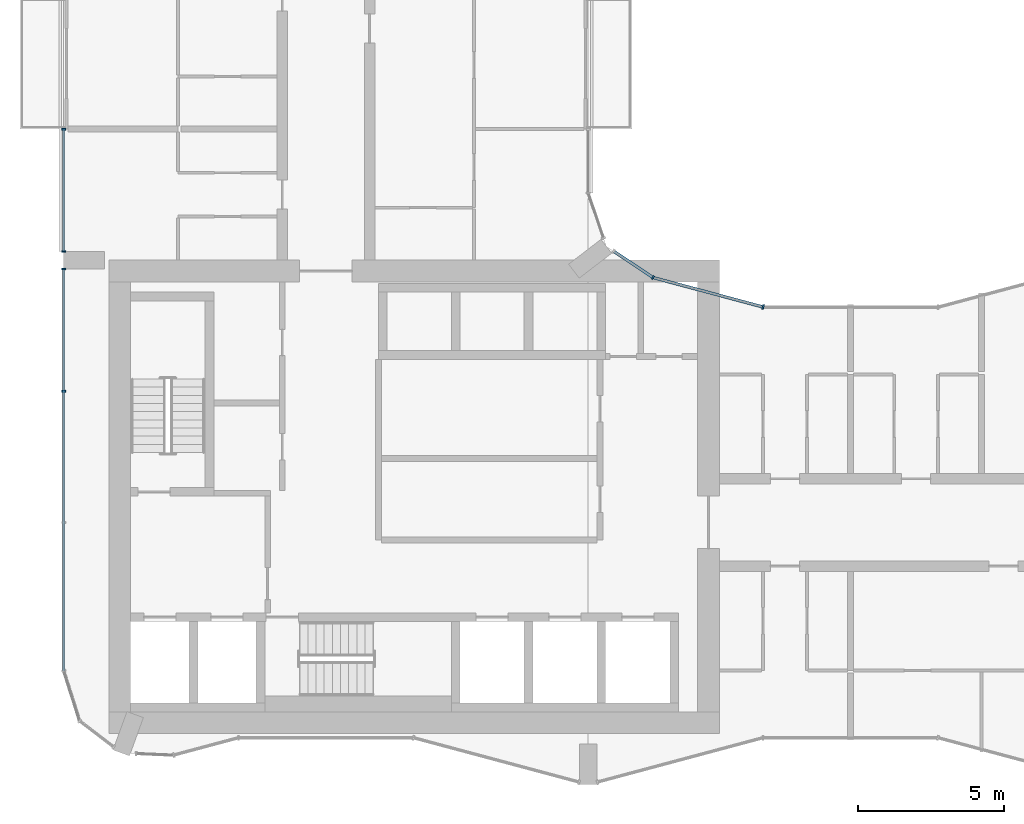
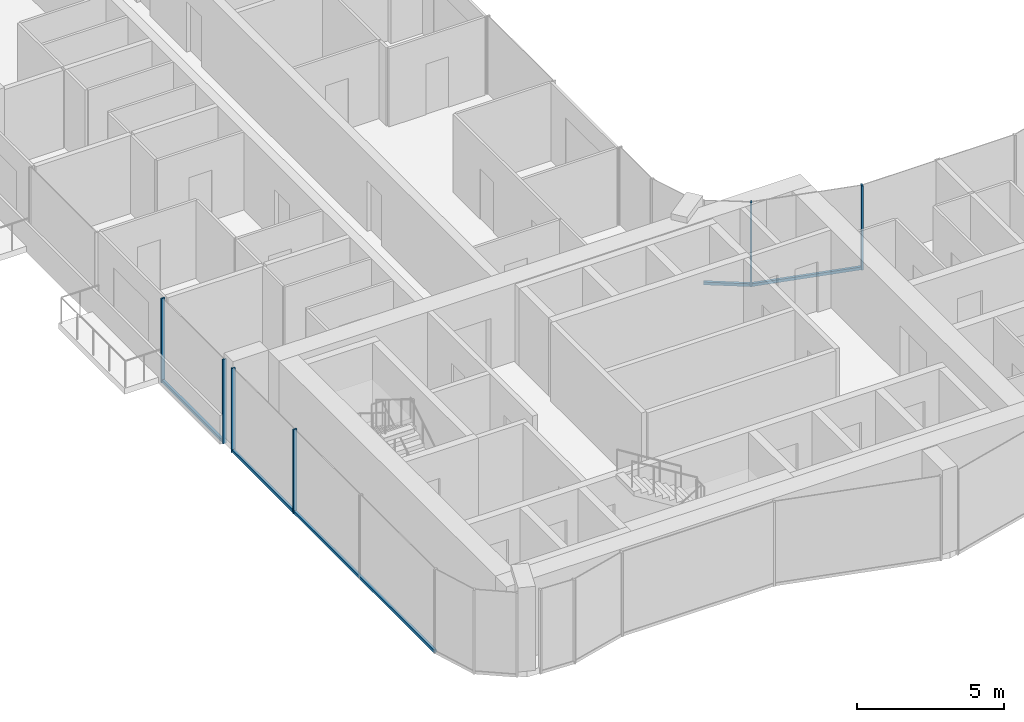
# One storey, part 3 of 23: 10 members, 4 elements without a shape of their own.
"""IFC4 building model written with IfcOpenShell, lengths in metres."""

from ifc_helpers import new_model, si_unit, direction, frame, origin, origin_2d, place, context, subcontext, project, spatial, rectangle, extrude, material, layer, layer_set, material_profile, profile_set, type_object, element, aggregate, save


model = new_model("IFC4")

# Units and contexts
model_context = context("Model", 3, precision=1e-05, world=origin(), true_north=direction((0.0, 1.0)))
body_context = subcontext(model_context, "Body", "Model", "MODEL_VIEW")
ifc_project = project(units=[si_unit("LENGTHUNIT", "METRE"), si_unit("AREAUNIT", "SQUARE_METRE"), si_unit("VOLUMEUNIT", "CUBIC_METRE"), si_unit("PLANEANGLEUNIT", "RADIAN"), si_unit("MASSUNIT", "GRAM", prefix="KILO")], contexts=[model_context])

# Site, building, storey
site_placement = place(None, origin())
site = spatial("IfcSite", under=ifc_project, at=site_placement, CompositionType="ELEMENT")
building_placement = place(site_placement, origin())
building = spatial("IfcBuilding", under=site, at=building_placement, Name="Plateau Cross Towers", CompositionType="ELEMENT")
storey_placement = place(building_placement, frame((0.0, 0.0, 33.800048828125)))
storey = spatial("IfcBuildingStorey", under=building, at=storey_placement, Name="L07", CompositionType="ELEMENT", Elevation=33.800048828125)

# Curtain wall, member
ifc_material_1 = material(Name="Dark low-iron glass", Category="glass")
ifc_layer_1 = layer(ifc_material_1, 0.239990234375)
ifc_layer_set_1 = layer_set([ifc_layer_1], Name="Dark low-iron glass")
curtain_wall_type_1 = type_object("IfcCurtainWallType", Name="Curtain wall flush unitised CW-B", PredefinedType="NOTDEFINED", material=ifc_layer_set_1)
curtain_wall_1_placement = place(storey_placement, origin())
curtain_wall_1 = element("IfcCurtainWall", 1, at=curtain_wall_1_placement, inside=storey, type_object=curtain_wall_type_1, Name="ENV/A/L07/A202_174", PredefinedType="NOTDEFINED")
ifc_material_2 = material(Name="Black anodised aluminium", Category="aluminium")
ifc_material_profile_1 = material_profile(ifc_material_2, rectangle(XDim=0.06005859375, YDim=0.139892578125, at=origin_2d()), Name="MULLION 60x140")
ifc_profile_set_1 = profile_set([ifc_material_profile_1], Name="Black anodised aluminium")
member_type_1 = type_object("IfcMemberType", Name="Mullion 60x140 flush unitised", PredefinedType="MULLION", material=ifc_profile_set_1)
member_1_placement = place(storey_placement, frame((20.223876953125, 17.404296875, -0.25), z_axis=(0.0, 0.0, 1.0), x_axis=(-0.831521253329, 0.555492938984, 0.0)))
member_1 = element("IfcMember", 2, at=member_1_placement, type_object=member_type_1, Name="CW-B mullion 1", PredefinedType="MULLION", context=body_context, shape_type="SweptSolid", body=[
    extrude(rectangle(XDim=0.06005859375, YDim=0.139892578125, at=origin_2d()), origin(), (0.0, 0.0, 1.0), 3.5),
])

# Curtain wall, members
curtain_wall_2_placement = place(storey_placement, origin())
curtain_wall_2 = element("IfcCurtainWall", 3, at=curtain_wall_2_placement, inside=storey, type_object=curtain_wall_type_1, Name="ENV/A/L07/A0_225", PredefinedType="NOTDEFINED")
member_2_placement = place(storey_placement, frame((0.0, 22.489990234375, -0.25), z_axis=(0.0, 0.0, 1.0), x_axis=(0.0, -1.0, 0.0)))
member_2 = element("IfcMember", 4, at=member_2_placement, type_object=member_type_1, Name="CW-B mullion 1", PredefinedType="MULLION", context=body_context, shape_type="SweptSolid", body=[
    extrude(rectangle(XDim=0.06005859375, YDim=0.139892578125, at=origin_2d()), origin(), (0.0, 0.0, 1.0), 3.5),
])
member_3_placement = place(storey_placement, frame((0.0, 18.300048828125, -0.25), z_axis=(0.0, 0.0, 1.0), x_axis=(0.0, -1.0, 0.0)))
member_3 = element("IfcMember", 5, at=member_3_placement, type_object=member_type_1, Name="CW-B mullion 2", PredefinedType="MULLION", context=body_context, shape_type="SweptSolid", body=[
    extrude(rectangle(XDim=0.06005859375, YDim=0.139892578125, at=origin_2d()), origin(), (0.0, 0.0, 1.0), 3.5),
])

curtain_wall_3_placement = place(storey_placement, origin())
curtain_wall_3 = element("IfcCurtainWall", 6, at=curtain_wall_3_placement, inside=storey, type_object=curtain_wall_type_1, Name="ENV/A/L07/A0_177", PredefinedType="NOTDEFINED")
member_4_placement = place(storey_placement, frame((0.0, 17.699951171875, -0.25), z_axis=(0.0, 0.0, 1.0), x_axis=(0.0, -1.0, 0.0)))
member_4 = element("IfcMember", 7, at=member_4_placement, type_object=member_type_1, Name="CW-B mullion 1", PredefinedType="MULLION", context=body_context, shape_type="SweptSolid", body=[
    extrude(rectangle(XDim=0.06005859375, YDim=0.139892578125, at=origin_2d()), origin(), (0.0, 0.0, 1.0), 3.5),
])
member_5_placement = place(storey_placement, frame((0.0, 13.5, -0.25), z_axis=(0.0, 0.0, 1.0), x_axis=(0.0, -1.0, 0.0)))
member_5 = element("IfcMember", 8, at=member_5_placement, type_object=member_type_1, Name="CW-B mullion 2", PredefinedType="MULLION", context=body_context, shape_type="SweptSolid", body=[
    extrude(rectangle(XDim=0.06005859375, YDim=0.139892578125, at=origin_2d()), origin(), (0.0, 0.0, 1.0), 3.5),
])

# Curtain wall, member
ifc_layer_2 = layer(ifc_material_1, 0.260009765625)
ifc_layer_set_2 = layer_set([ifc_layer_2], Name="Dark low-iron glass")
curtain_wall_type_2 = type_object("IfcCurtainWallType", Name="Curtain wall fluted unitised CW-A", PredefinedType="NOTDEFINED", material=ifc_layer_set_2)
curtain_wall_4_placement = place(storey_placement, origin())
curtain_wall_4 = element("IfcCurtainWall", 9, at=curtain_wall_4_placement, inside=storey, type_object=curtain_wall_type_2, Name="ENV/A/L07/A240_164", PredefinedType="NOTDEFINED")
ifc_material_profile_2 = material_profile(ifc_material_2, rectangle(XDim=0.06005859375, YDim=0.159912109375, at=origin_2d()), Name="MULLION 60x160")
ifc_profile_set_2 = profile_set([ifc_material_profile_2], Name="Black anodised aluminium")
member_type_2 = type_object("IfcMemberType", Name="Mullion 60x160 fluted unitised", PredefinedType="MULLION", material=ifc_profile_set_2)
member_6_placement = place(storey_placement, frame((24.0, 16.39306640625, -0.25), z_axis=(0.0, 0.0, 1.0), x_axis=(-0.965957995816, 0.258698956933, 0.0)))
member_6 = element("IfcMember", 10, at=member_6_placement, type_object=member_type_2, Name="CW-A mullion 1", PredefinedType="MULLION", context=body_context, shape_type="SweptSolid", body=[
    extrude(rectangle(XDim=0.06005859375, YDim=0.159912109375, at=origin_2d()), origin(), (0.0, 0.0, 1.0), 3.5),
])

# Member
ifc_material_profile_3 = material_profile(ifc_material_2, rectangle(XDim=0.10009765625, YDim=0.1201171875, at=origin_2d()), Name="TRANSOM 100x120")
ifc_profile_set_3 = profile_set([ifc_material_profile_3], Name="Black anodised aluminium")
member_type_3 = type_object("IfcMemberType", Name="Transom 100x120 flush unitised", PredefinedType="USERDEFINED", material=ifc_profile_set_3)
member_7_placement = place(storey_placement, frame((20.223876953125, 17.404296875, -0.18994140625), z_axis=(-0.831496402487, 0.555530136582, 0.0), x_axis=(-0.555530136582, -0.831496402487, 0.0)))
member_7 = element("IfcMember", 11, at=member_7_placement, type_object=member_type_3, Name="CW-B transom", ObjectType="TRANSOM", PredefinedType="USERDEFINED", context=body_context, shape_type="SweptSolid", body=[
    extrude(rectangle(XDim=0.10009765625, YDim=0.1201171875, at=origin_2d()), origin(), (0.0, 0.0, 1.0), 1.628662109375),
])

aggregate(curtain_wall_1, [member_1, member_7])

member_8_placement = place(storey_placement, frame((0.0, 22.489990234375, -0.18994140625), z_axis=(0.0, -1.0, 0.0), x_axis=(1.0, 0.0, 0.0)))
member_8 = element("IfcMember", 12, at=member_8_placement, type_object=member_type_3, Name="CW-B transom", ObjectType="TRANSOM", PredefinedType="USERDEFINED", context=body_context, shape_type="SweptSolid", body=[
    extrude(rectangle(XDim=0.10009765625, YDim=0.1201171875, at=origin_2d()), origin(), (0.0, 0.0, 1.0), 4.18994140625),
])

aggregate(curtain_wall_2, [member_2, member_3, member_8])

member_9_placement = place(storey_placement, frame((0.0, 17.699951171875, -0.18994140625), z_axis=(0.0, -1.0, 0.0), x_axis=(1.0, 0.0, 0.0)))
member_9 = element("IfcMember", 13, at=member_9_placement, type_object=member_type_3, Name="CW-B transom", ObjectType="TRANSOM", PredefinedType="USERDEFINED", context=body_context, shape_type="SweptSolid", body=[
    extrude(rectangle(XDim=0.10009765625, YDim=0.1201171875, at=origin_2d()), origin(), (0.0, 0.0, 1.0), 13.790771484375),
])

aggregate(curtain_wall_3, [member_4, member_5, member_9])

ifc_material_profile_4 = material_profile(ifc_material_2, rectangle(XDim=0.10009765625, YDim=0.1201171875, at=origin_2d()), Name="TRANSOM 100x120")
ifc_profile_set_4 = profile_set([ifc_material_profile_4], Name="Black anodised aluminium")
member_type_4 = type_object("IfcMemberType", Name="Transom 100x120 fluted unitised", PredefinedType="USERDEFINED", material=ifc_profile_set_4)
member_10_placement = place(storey_placement, frame((24.0, 16.39306640625, -0.18994140625), z_axis=(-0.965962822393, 0.25868093427, 0.0), x_axis=(-0.25868093427, -0.965962822393, 0.0)))
member_10 = element("IfcMember", 14, at=member_10_placement, type_object=member_type_4, Name="CW-A transom", ObjectType="TRANSOM", PredefinedType="USERDEFINED", context=body_context, shape_type="SweptSolid", body=[
    extrude(rectangle(XDim=0.10009765625, YDim=0.1201171875, at=origin_2d()), origin(), (0.0, 0.0, 1.0), 3.9091796875),
])

aggregate(curtain_wall_4, [member_6, member_10])

save(model, "model.ifc")
